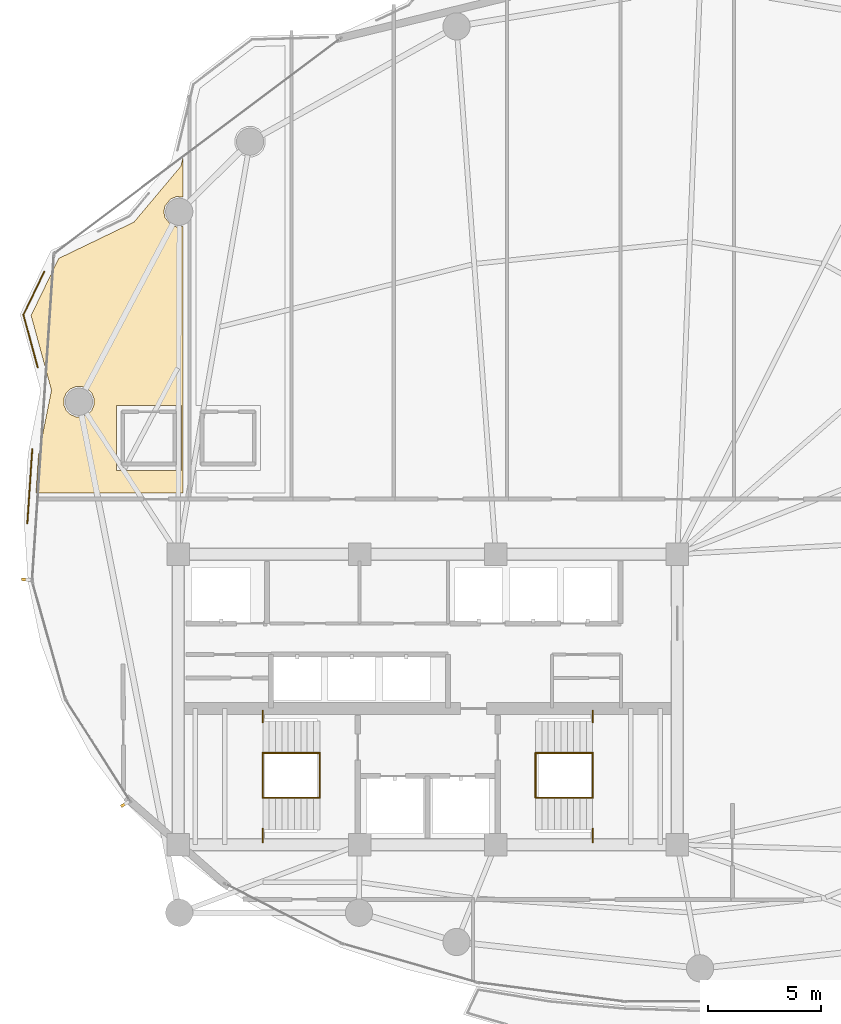
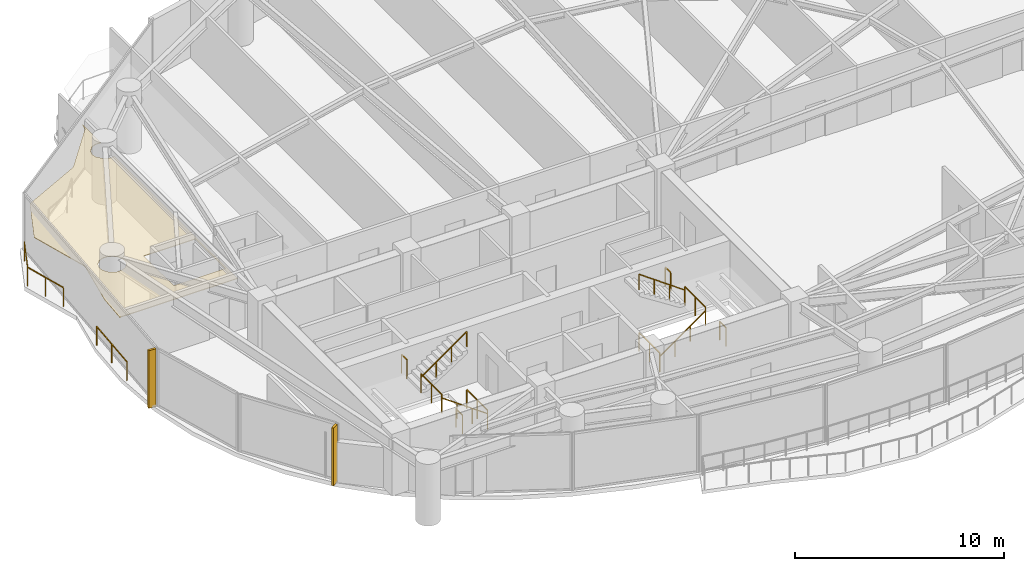
# One storey, part 28 of 30: 14 railings, 2 shading devices, 1 covering.
"""IFC4 building model written with IfcOpenShell, lengths in metres."""

from ifc_helpers import new_model, si_unit, direction, frame, origin, origin_2d, place, context, subcontext, project, spatial, polyline, rectangle, outline, extrude, material, layer, layer_set, type_object, element, save


model = new_model("IFC4")

# Units and contexts
model_context = context("Model", 3, precision=1e-05, world=origin(), true_north=direction((0.0, 1.0)))
body_context = subcontext(model_context, "Body", "Model", "MODEL_VIEW")
ifc_project = project(units=[si_unit("LENGTHUNIT", "METRE"), si_unit("AREAUNIT", "SQUARE_METRE"), si_unit("VOLUMEUNIT", "CUBIC_METRE"), si_unit("PLANEANGLEUNIT", "RADIAN"), si_unit("MASSUNIT", "GRAM", prefix="KILO")], contexts=[model_context])

# Site, building, storey
site_placement = place(None, origin())
site = spatial("IfcSite", under=ifc_project, at=site_placement, CompositionType="ELEMENT")
building_placement = place(site_placement, origin())
building = spatial("IfcBuilding", under=site, at=building_placement, Name="Kazevale Care Tower and Concert Hall", CompositionType="ELEMENT")
storey_placement = place(building_placement, frame((0.0, 0.0, 131.39990234375)))
storey = spatial("IfcBuildingStorey", under=building, at=storey_placement, Name="L34", CompositionType="ELEMENT", Elevation=131.39990234375)

# Covering
ifc_material_1 = material(Name="Acoustic Plaster and Hinoki Wood", Category="wood")
ifc_layer = layer(ifc_material_1, 0.0400390625)
ifc_layer_set = layer_set([ifc_layer], Name="Acoustic Plaster and Hinoki Wood")
covering_type = type_object("IfcCoveringType", Name="Acoustic Perforated Wood-Gypsum Ceiling", PredefinedType="CEILING", material=ifc_layer_set)
covering_placement = place(storey_placement, frame((0.0, 0.0, 2.710205078125)))
element("IfcCovering", 1, at=covering_placement, inside=storey, type_object=covering_type, Name="clg:L34:1", PredefinedType="CEILING", context=body_context, shape_type="SweptSolid", body=[
    extrude(outline(polyline([(15.52099609375, 46.922119140625), (16.738037109375, 49.43505859375), (20.055908203125, 51.035888671875), (22.123046875, 53.4990234375), (22.219970703125, 53.89794921875), (22.219970703125, 52.14599609375), (21.9169921875, 52.156982421875), (21.672119140625, 52.054931640625), (21.422119140625, 51.75), (21.3701171875, 51.489990234375), (21.422119140625, 51.22998046875), (21.672119140625, 50.925048828125), (21.9169921875, 50.822998046875), (22.219970703125, 50.833984375), (22.219970703125, 39.10498046875), (15.73388671875, 39.10498046875), (15.843994140625, 40.760986328125), (16.419921875, 43.6240234375), (15.52099609375, 46.922119140625)]), holes=[polyline([(19.278076171875, 40.094970703125), (22.137939453125, 40.094970703125), (22.137939453125, 42.955078125), (19.278076171875, 42.955078125), (19.278076171875, 40.094970703125)]), polyline([(18.297119140625, 43.2529296875), (18.195068359375, 43.498046875), (18.008056640625, 43.68505859375), (17.762939453125, 43.787109375), (17.4970703125, 43.787109375), (17.251953125, 43.68505859375), (17.06494140625, 43.498046875), (16.962890625, 43.2529296875), (16.962890625, 42.987060546875), (17.06494140625, 42.741943359375), (17.251953125, 42.554931640625), (17.4970703125, 42.452880859375), (17.762939453125, 42.452880859375), (18.008056640625, 42.554931640625), (18.195068359375, 42.741943359375), (18.297119140625, 42.987060546875), (18.297119140625, 43.2529296875)])]), origin(), (0.0, 0.0, 1.0), 0.039794921875),
])

# Railings
ifc_material_2 = material(Name="Anodised Bronze Aluminium and Laminated Glass", Category="aluminium")
railing_type_1 = type_object("IfcRailingType", Name="Balcony and Terrace Balustrade 1120", PredefinedType="BALUSTRADE", material=ifc_material_2)
railing_1_placement = place(storey_placement, frame((15.35498046875, 37.77294921875, 0.0)))
element("IfcRailing", 2, at=railing_1_placement, inside=storey, type_object=railing_type_1, Name="rail:L34:perim:1", PredefinedType="BALUSTRADE", context=body_context, shape_type="SweptSolid", body=[
    extrude(rectangle(XDim=0.048095703125, YDim=0.048095703125, at=origin_2d()), frame((0.0, 0.0, 1.09619140625), z_axis=(0.066667660785, 0.997775236717, 0.0), x_axis=(-0.997775236717, 0.066667660785, 0.0)), (0.0, 0.0, 1.0), 3.270263671875),
    extrude(rectangle(XDim=0.0419921875, YDim=0.0419921875, at=origin_2d()), origin(), (0.0, 0.0, 1.0), 1.072021484375),
    extrude(rectangle(XDim=0.0419921875, YDim=0.0419921875, at=origin_2d()), frame((0.10888671875, 1.63134765625, 0.0)), (0.0, 0.0, 1.0), 1.072021484375),
    extrude(rectangle(XDim=0.0419921875, YDim=0.0419921875, at=origin_2d()), frame((0.218017578125, 3.262939453125, 0.0)), (0.0, 0.0, 1.0), 1.072021484375),
])
railing_2_placement = place(storey_placement, frame((15.81298828125, 44.631103515625, 0.0)))
element("IfcRailing", 3, at=railing_2_placement, inside=storey, type_object=railing_type_1, Name="rail:L34:perim:2", PredefinedType="BALUSTRADE", context=body_context, shape_type="SweptSolid", body=[
    extrude(rectangle(XDim=0.048095703125, YDim=0.048095703125, at=origin_2d()), frame((0.0, 0.0, 1.09619140625), z_axis=(-0.262679540439, 0.96488313232, 0.0), x_axis=(-0.96488313232, -0.262679540439, 0.0)), (0.0, 0.0, 1.0), 2.40625),
    extrude(rectangle(XDim=0.048095703125, YDim=0.048095703125, at=origin_2d()), frame((-0.632080078125, 2.32177734375, 1.09619140625), z_axis=(0.435530489305, 0.900173979232, 0.0), x_axis=(-0.900173979232, 0.435530489305, 0.0)), (0.0, 0.0, 1.0), 2.096435546875),
    extrude(rectangle(XDim=0.0419921875, YDim=0.0419921875, at=origin_2d()), origin(), (0.0, 0.0, 1.0), 1.072021484375),
    extrude(rectangle(XDim=0.0419921875, YDim=0.0419921875, at=origin_2d()), frame((-0.31591796875, 1.160888671875, 0.0)), (0.0, 0.0, 1.0), 1.072021484375),
    extrude(rectangle(XDim=0.0419921875, YDim=0.0419921875, at=origin_2d()), frame((-0.632080078125, 2.32177734375, 0.0)), (0.0, 0.0, 1.0), 1.072021484375),
    extrude(rectangle(XDim=0.0419921875, YDim=0.0419921875, at=origin_2d()), frame((0.281005859375, 4.208984375, 0.0)), (0.0, 0.0, 1.0), 1.072021484375),
])
ifc_material_3 = material(Name="Stainless Steel 316", Category="steel")
railing_type_2 = type_object("IfcRailingType", Name="Stair Pitch Handrail 920", PredefinedType="HANDRAIL", material=ifc_material_3)
railing_3_placement = place(storey_placement, frame((28.25, 25.659912109375, 0.0)))
element("IfcRailing", 4, at=railing_3_placement, inside=storey, type_object=railing_type_2, Name="stair:L34:ST1:hr1", PredefinedType="HANDRAIL", context=body_context, shape_type="SweptSolid", body=[
    extrude(rectangle(XDim=0.048095703125, YDim=0.048095703125, at=origin_2d()), frame((0.0, 0.0, 0.89599609375), z_axis=(-0.813728144527, 0.0, 0.581245650998), x_axis=(0.0, -1.0, 0.0)), (0.0, 0.0, 1.0), 3.096923828125),
    extrude(rectangle(XDim=0.0419921875, YDim=0.0419921875, at=origin_2d()), origin(), (0.0, 0.0, 1.0), 0.871826171875),
    extrude(rectangle(XDim=0.0419921875, YDim=0.0419921875, at=origin_2d()), frame((-0.840087890625, 0.0, 0.60009765625)), (0.0, 0.0, 1.0), 0.871826171875),
    extrude(rectangle(XDim=0.0419921875, YDim=0.0419921875, at=origin_2d()), frame((-1.679931640625, 0.0, 1.199951171875)), (0.0, 0.0, 1.0), 0.871826171875),
    extrude(rectangle(XDim=0.0419921875, YDim=0.0419921875, at=origin_2d()), frame((-2.52001953125, 0.0, 1.800048828125)), (0.0, 0.0, 1.0), 0.871826171875),
])
for number, where, name in (
    (5, (25.72998046875, 27.639892578125, 1.800048828125), "stair:L34:ST1:hr2"),
    (6, (37.75, 25.659912109375, 0.0), "stair:L34:ST2:hr1"),
):
    element("IfcRailing", number, at=place(storey_placement, frame(where)), inside=storey, type_object=railing_type_2, Name=name, PredefinedType="HANDRAIL", context=body_context, shape_type="SweptSolid", body=[
        extrude(rectangle(XDim=0.048095703125, YDim=0.048095703125, at=origin_2d()), frame((0.0, 0.0, 0.89599609375), z_axis=(0.813728144527, 0.0, 0.581245650998), x_axis=(0.0, 1.0, 0.0)), (0.0, 0.0, 1.0), 3.096923828125),
        extrude(rectangle(XDim=0.0419921875, YDim=0.0419921875, at=origin_2d()), origin(), (0.0, 0.0, 1.0), 0.871826171875),
        extrude(rectangle(XDim=0.0419921875, YDim=0.0419921875, at=origin_2d()), frame((0.840087890625, 0.0, 0.60009765625)), (0.0, 0.0, 1.0), 0.871826171875),
        extrude(rectangle(XDim=0.0419921875, YDim=0.0419921875, at=origin_2d()), frame((1.679931640625, 0.0, 1.199951171875)), (0.0, 0.0, 1.0), 0.871826171875),
        extrude(rectangle(XDim=0.0419921875, YDim=0.0419921875, at=origin_2d()), frame((2.52001953125, 0.0, 1.800048828125)), (0.0, 0.0, 1.0), 0.871826171875),
    ])
railing_4_placement = place(storey_placement, frame((40.27001953125, 27.639892578125, 1.800048828125)))
element("IfcRailing", 7, at=railing_4_placement, inside=storey, type_object=railing_type_2, Name="stair:L34:ST2:hr2", PredefinedType="HANDRAIL", context=body_context, shape_type="SweptSolid", body=[
    extrude(rectangle(XDim=0.048095703125, YDim=0.048095703125, at=origin_2d()), frame((0.0, 0.0, 0.89599609375), z_axis=(-0.813728144527, 0.0, 0.581245650998), x_axis=(0.0, -1.0, 0.0)), (0.0, 0.0, 1.0), 3.096923828125),
    extrude(rectangle(XDim=0.0419921875, YDim=0.0419921875, at=origin_2d()), origin(), (0.0, 0.0, 1.0), 0.871826171875),
    extrude(rectangle(XDim=0.0419921875, YDim=0.0419921875, at=origin_2d()), frame((-0.840087890625, 0.0, 0.60009765625)), (0.0, 0.0, 1.0), 0.871826171875),
    extrude(rectangle(XDim=0.0419921875, YDim=0.0419921875, at=origin_2d()), frame((-1.679931640625, 0.0, 1.199951171875)), (0.0, 0.0, 1.0), 0.871826171875),
    extrude(rectangle(XDim=0.0419921875, YDim=0.0419921875, at=origin_2d()), frame((-2.52001953125, 0.0, 1.800048828125)), (0.0, 0.0, 1.0), 0.871826171875),
])
railing_type_3 = type_object("IfcRailingType", Name="Stair Well Guard Balustrade 1120", PredefinedType="BALUSTRADE", material=ifc_material_3)
railing_5_placement = place(storey_placement, frame((25.72998046875, 23.699951171875, 1.800048828125)))
element("IfcRailing", 8, at=railing_5_placement, inside=storey, type_object=railing_type_3, Name="stair:L34:ST1:grd_side1", PredefinedType="BALUSTRADE", context=body_context, shape_type="SweptSolid", body=[
    extrude(rectangle(XDim=0.048095703125, YDim=0.048095703125, at=origin_2d()), frame((0.0, 0.0, 1.09619140625), z_axis=(0.0, 1.0, 0.0), x_axis=(-1.0, 0.0, 0.0)), (0.0, 0.0, 1.0), 0.610107421875),
    extrude(rectangle(XDim=0.0419921875, YDim=0.0419921875, at=origin_2d()), origin(), (0.0, 0.0, 1.0), 1.072021484375),
    extrude(rectangle(XDim=0.0419921875, YDim=0.0419921875, at=origin_2d()), frame((0.0, 0.610107421875, 0.0)), (0.0, 0.0, 1.0), 1.072021484375),
])
railing_6_placement = place(storey_placement, frame((25.72998046875, 28.989990234375, 1.800048828125)))
element("IfcRailing", 9, at=railing_6_placement, inside=storey, type_object=railing_type_3, Name="stair:L34:ST1:grd_side2", PredefinedType="BALUSTRADE", context=body_context, shape_type="SweptSolid", body=[
    extrude(rectangle(XDim=0.048095703125, YDim=0.048095703125, at=origin_2d()), frame((0.0, 0.0, 1.09619140625), z_axis=(0.0, 1.0, 0.0), x_axis=(-1.0, 0.0, 0.0)), (0.0, 0.0, 1.0), 0.510009765625),
    extrude(rectangle(XDim=0.0419921875, YDim=0.0419921875, at=origin_2d()), origin(), (0.0, 0.0, 1.0), 1.072021484375),
    extrude(rectangle(XDim=0.0419921875, YDim=0.0419921875, at=origin_2d()), frame((0.0, 0.510009765625, 0.0)), (0.0, 0.0, 1.0), 1.072021484375),
])
for number, where, name in (
    (10, (25.72998046875, 25.659912109375, 1.800048828125), "stair:L34:ST1:grd_mid"),
    (11, (28.25, 25.659912109375, 0.0), "stair:L34:ST1:grd_flr"),
):
    element("IfcRailing", number, at=place(storey_placement, frame(where)), inside=storey, type_object=railing_type_3, Name=name, PredefinedType="BALUSTRADE", context=body_context, shape_type="SweptSolid", body=[
        extrude(rectangle(XDim=0.048095703125, YDim=0.048095703125, at=origin_2d()), frame((0.0, 0.0, 1.09619140625), z_axis=(0.0, 1.0, 0.0), x_axis=(-1.0, 0.0, 0.0)), (0.0, 0.0, 1.0), 1.97998046875),
        extrude(rectangle(XDim=0.0419921875, YDim=0.0419921875, at=origin_2d()), origin(), (0.0, 0.0, 1.0), 1.072021484375),
        extrude(rectangle(XDim=0.0419921875, YDim=0.0419921875, at=origin_2d()), frame((0.0, 0.989990234375, 0.0)), (0.0, 0.0, 1.0), 1.072021484375),
        extrude(rectangle(XDim=0.0419921875, YDim=0.0419921875, at=origin_2d()), frame((0.0, 1.97998046875, 0.0)), (0.0, 0.0, 1.0), 1.072021484375),
    ])
railing_7_placement = place(storey_placement, frame((40.27001953125, 23.699951171875, 1.800048828125)))
element("IfcRailing", 12, at=railing_7_placement, inside=storey, type_object=railing_type_3, Name="stair:L34:ST2:grd_side1", PredefinedType="BALUSTRADE", context=body_context, shape_type="SweptSolid", body=[
    extrude(rectangle(XDim=0.048095703125, YDim=0.048095703125, at=origin_2d()), frame((0.0, 0.0, 1.09619140625), z_axis=(0.0, 1.0, 0.0), x_axis=(-1.0, 0.0, 0.0)), (0.0, 0.0, 1.0), 0.610107421875),
    extrude(rectangle(XDim=0.0419921875, YDim=0.0419921875, at=origin_2d()), origin(), (0.0, 0.0, 1.0), 1.072021484375),
    extrude(rectangle(XDim=0.0419921875, YDim=0.0419921875, at=origin_2d()), frame((0.0, 0.610107421875, 0.0)), (0.0, 0.0, 1.0), 1.072021484375),
])
railing_8_placement = place(storey_placement, frame((40.27001953125, 28.989990234375, 1.800048828125)))
element("IfcRailing", 13, at=railing_8_placement, inside=storey, type_object=railing_type_3, Name="stair:L34:ST2:grd_side2", PredefinedType="BALUSTRADE", context=body_context, shape_type="SweptSolid", body=[
    extrude(rectangle(XDim=0.048095703125, YDim=0.048095703125, at=origin_2d()), frame((0.0, 0.0, 1.09619140625), z_axis=(0.0, 1.0, 0.0), x_axis=(-1.0, 0.0, 0.0)), (0.0, 0.0, 1.0), 0.510009765625),
    extrude(rectangle(XDim=0.0419921875, YDim=0.0419921875, at=origin_2d()), origin(), (0.0, 0.0, 1.0), 1.072021484375),
    extrude(rectangle(XDim=0.0419921875, YDim=0.0419921875, at=origin_2d()), frame((0.0, 0.510009765625, 0.0)), (0.0, 0.0, 1.0), 1.072021484375),
])
for number, where, name in (
    (14, (40.27001953125, 25.659912109375, 1.800048828125), "stair:L34:ST2:grd_mid"),
    (15, (37.75, 25.659912109375, 0.0), "stair:L34:ST2:grd_flr"),
):
    element("IfcRailing", number, at=place(storey_placement, frame(where)), inside=storey, type_object=railing_type_3, Name=name, PredefinedType="BALUSTRADE", context=body_context, shape_type="SweptSolid", body=[
        extrude(rectangle(XDim=0.048095703125, YDim=0.048095703125, at=origin_2d()), frame((0.0, 0.0, 1.09619140625), z_axis=(0.0, 1.0, 0.0), x_axis=(-1.0, 0.0, 0.0)), (0.0, 0.0, 1.0), 1.97998046875),
        extrude(rectangle(XDim=0.0419921875, YDim=0.0419921875, at=origin_2d()), origin(), (0.0, 0.0, 1.0), 1.072021484375),
        extrude(rectangle(XDim=0.0419921875, YDim=0.0419921875, at=origin_2d()), frame((0.0, 0.989990234375, 0.0)), (0.0, 0.0, 1.0), 1.072021484375),
        extrude(rectangle(XDim=0.0419921875, YDim=0.0419921875, at=origin_2d()), frame((0.0, 1.97998046875, 0.0)), (0.0, 0.0, 1.0), 1.072021484375),
    ])

# Shading devices
ifc_material_4 = material(Name="Honed Ochre Limestone", Category="masonry")
shading_device_type = type_object("IfcShadingDeviceType", Name="Vertical Honed Limestone Fin FIN-01", PredefinedType="USERDEFINED", material=ifc_material_4)
for number, where, z_axis, x_axis, name in (
    (16, (19.649658203125, 25.387451171875, 0.0), (0.0, 0.0, 1.0), (-0.843391445813, -0.537299608347, 0.0), "cw:L34:f11:fin"),
    (17, (15.293212890625, 35.2802734375, 0.0), (0.0, 0.0, 1.0), (-0.997778273548, 0.066622194773, 0.0), "cw:L34:f13:fin"),
):
    element("IfcShadingDevice", number, at=place(storey_placement, frame(where, z_axis=z_axis, x_axis=x_axis)), inside=storey, type_object=shading_device_type, Name=name, ObjectType="FIN", PredefinedType="USERDEFINED", context=body_context, shape_type="SweptSolid", body=[
        extrude(rectangle(XDim=0.3798828125, YDim=0.1201171875, at=origin_2d()), origin(), (0.0, 0.0, 1.0), 3.360107421875),
    ])

save(model, "model.ifc")
